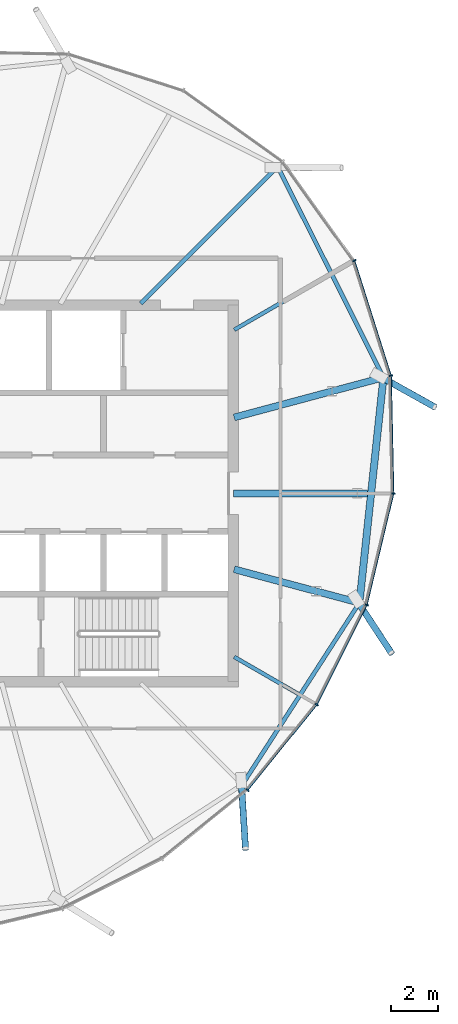
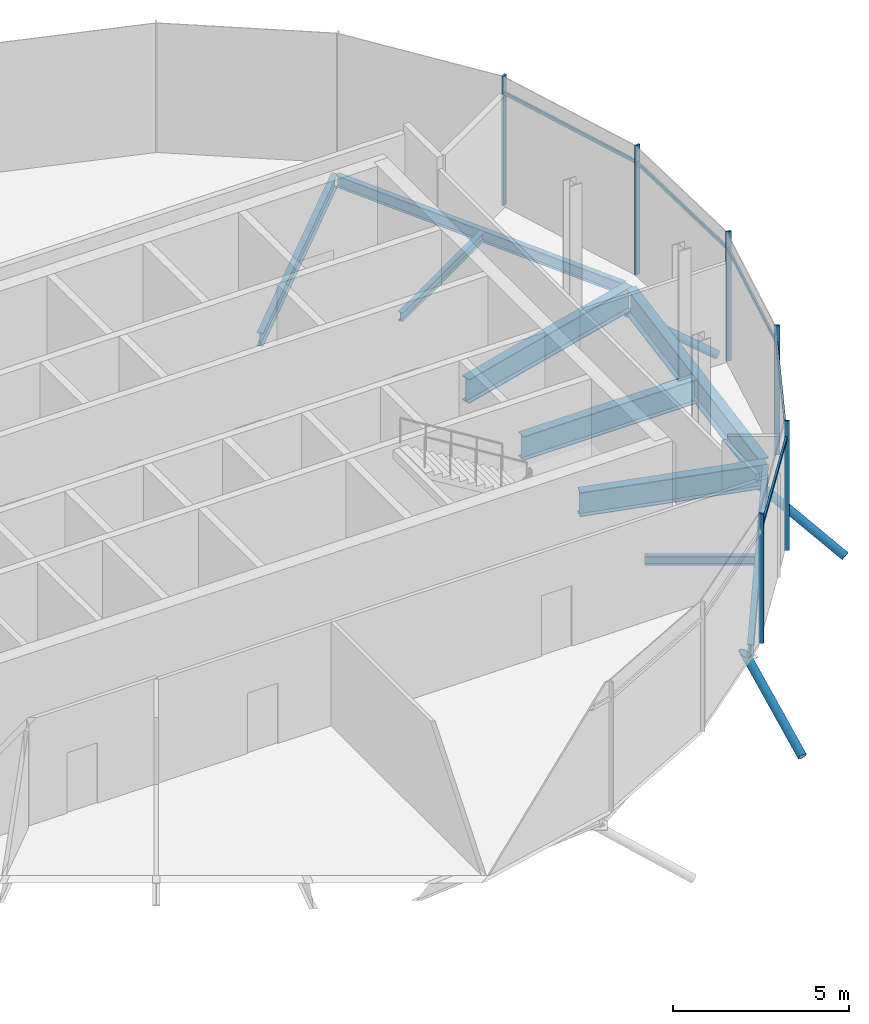
# One storey, part 12 of 31: 14 members, 9 beams, 1 element without a shape of its own.
"""IFC4 building model written with IfcOpenShell, lengths in metres."""

from ifc_helpers import new_model, si_unit, direction, frame, origin, origin_2d, place, context, subcontext, project, spatial, rectangle, hollow_circle, i_section, extrude, clip, halfspace, material, material_profile, profile_set, type_object, element, aggregate, save


model = new_model("IFC4")

# Units and contexts
model_context = context("Model", 3, precision=1e-05, world=origin(), true_north=direction((0.0, 1.0)))
body_context = subcontext(model_context, "Body", "Model", "MODEL_VIEW")
ifc_project = project(units=[si_unit("LENGTHUNIT", "METRE"), si_unit("AREAUNIT", "SQUARE_METRE"), si_unit("VOLUMEUNIT", "CUBIC_METRE"), si_unit("PLANEANGLEUNIT", "RADIAN"), si_unit("MASSUNIT", "GRAM", prefix="KILO")], contexts=[model_context])

# Site, building, storey
site_placement = place(None, origin())
site = spatial("IfcSite", under=ifc_project, at=site_placement, CompositionType="ELEMENT")
building_placement = place(site_placement, origin())
building = spatial("IfcBuilding", under=site, at=building_placement, Name="Rimbun Link Towers", CompositionType="ELEMENT")
storey_placement = place(building_placement, frame((0.0, 0.0, 263.10009765625)))
storey = spatial("IfcBuildingStorey", under=building, at=storey_placement, Name="L64", CompositionType="ELEMENT", Elevation=263.10009765625)

# Curtain wall, members
ifc_material_1 = material(Name="Aluminium 6063-T6 and low-iron glass", Category="aluminium")
curtain_wall_type = type_object("IfcCurtainWallType", Name="CW5 full height lobby wall", PredefinedType="NOTDEFINED", material=ifc_material_1)
curtain_wall_placement = place(storey_placement, origin())
curtain_wall = element("IfcCurtainWall", 1, at=curtain_wall_placement, inside=storey, type_object=curtain_wall_type, Name="CW5 L64 T2", PredefinedType="NOTDEFINED")
ifc_material_2 = material(Name="Aluminium 6063-T6", Category="aluminium")
ifc_material_profile_1 = material_profile(ifc_material_2, rectangle(XDim=0.14990234375, YDim=0.06005859375, at=origin_2d()), Name="MULLION 60X150")
ifc_profile_set_1 = profile_set([ifc_material_profile_1], Name="Aluminium 6063-T6")
member_type_1 = type_object("IfcMemberType", Name="CW5 mullion 60X150", PredefinedType="MULLION", material=ifc_profile_set_1)
member_1_placement = place(storey_placement, frame((44.3642578125, -12.6142578125, 0.0), z_axis=(0.0, 0.0, 1.0), x_axis=(0.707106781187, -0.707106781187, 0.0)))
member_1 = element("IfcMember", 2, at=member_1_placement, type_object=member_type_1, Name="CW5 mullion", PredefinedType="MULLION", context=body_context, shape_type="SweptSolid", body=[
    extrude(rectangle(XDim=0.14990234375, YDim=0.06005859375, at=origin_2d()), origin(), (0.0, 0.0, 1.0), 4.5),
])
member_2_placement = place(storey_placement, frame((47.302978515625, -8.983642578125, 0.0), z_axis=(0.0, 0.0, 1.0), x_axis=(0.840316623202, -0.542095907354, 0.0)))
member_2 = element("IfcMember", 3, at=member_2_placement, type_object=member_type_1, Name="CW5 mullion", PredefinedType="MULLION", context=body_context, shape_type="SweptSolid", body=[
    extrude(rectangle(XDim=0.14990234375, YDim=0.06005859375, at=origin_2d()), origin(), (0.0, 0.0, 1.0), 4.5),
])
member_3_placement = place(storey_placement, frame((49.431640625, -4.74462890625, 0.0), z_axis=(0.0, 0.0, 1.0), x_axis=(0.93934467717, -0.34297460179, 0.0)))
member_3 = element("IfcMember", 4, at=member_3_placement, type_object=member_type_1, Name="CW5 mullion", PredefinedType="MULLION", context=body_context, shape_type="SweptSolid", body=[
    extrude(rectangle(XDim=0.14990234375, YDim=0.06005859375, at=origin_2d()), origin(), (0.0, 0.0, 1.0), 4.5),
])
member_4_placement = place(storey_placement, frame((50.564453125, -0.008056640625, 0.0), z_axis=(0.0, 0.0, 1.0), x_axis=(0.994297489932, -0.106641931315, 0.0)))
member_4 = element("IfcMember", 5, at=member_4_placement, type_object=member_type_1, Name="CW5 mullion", PredefinedType="MULLION", context=body_context, shape_type="SweptSolid", body=[
    extrude(rectangle(XDim=0.14990234375, YDim=0.06005859375, at=origin_2d()), origin(), (0.0, 0.0, 1.0), 4.5),
])
member_5_placement = place(storey_placement, frame((50.458740234375, 5.00537109375, 0.0), z_axis=(0.0, 0.0, 1.0), x_axis=(0.986501737121, 0.16375079437, 0.0)))
member_5 = element("IfcMember", 6, at=member_5_placement, type_object=member_type_1, Name="CW5 mullion", PredefinedType="MULLION", context=body_context, shape_type="SweptSolid", body=[
    extrude(rectangle(XDim=0.14990234375, YDim=0.06005859375, at=origin_2d()), origin(), (0.0, 0.0, 1.0), 4.5),
])
member_6_placement = place(storey_placement, frame((48.902587890625, 9.89794921875, 0.0), z_axis=(0.0, 0.0, 1.0), x_axis=(0.893745040408, 0.448575303316, 0.0)))
member_6 = element("IfcMember", 7, at=member_6_placement, type_object=member_type_1, Name="CW5 mullion", PredefinedType="MULLION", context=body_context, shape_type="SweptSolid", body=[
    extrude(rectangle(XDim=0.14990234375, YDim=0.06005859375, at=origin_2d()), origin(), (0.0, 0.0, 1.0), 4.5),
])
ifc_material_3 = material(Name="Aluminium 6063-T6", Category="aluminium")
ifc_material_profile_2 = material_profile(ifc_material_3, rectangle(XDim=0.06005859375, YDim=0.1201171875, at=origin_2d()), Name="TRANSOM 60X120")
ifc_profile_set_2 = profile_set([ifc_material_profile_2], Name="Aluminium 6063-T6")
member_type_2 = type_object("IfcMemberType", Name="CW5 transom 60X120", PredefinedType="USERDEFINED", material=ifc_profile_set_2)
member_7_placement = place(storey_placement, frame((47.269287109375, -9.00537109375, 3.89990234375), z_axis=(-0.629149315834, -0.777284464263, 0.0), x_axis=(0.777284464263, -0.629149315834, 0.0)))
member_7 = element("IfcMember", 8, at=member_7_placement, type_object=member_type_2, Name="CW5 transom", ObjectType="TRANSOM", PredefinedType="USERDEFINED", context=body_context, shape_type="SweptSolid", body=[
    extrude(rectangle(XDim=0.06005859375, YDim=0.1201171875, at=origin_2d()), origin(), (0.0, 0.0, 1.0), 4.594970703125),
])
member_8_placement = place(storey_placement, frame((49.4033203125, -4.7734375, 3.89990234375), z_axis=(-0.448782258753, -0.893641138393, 0.0), x_axis=(0.893641138393, -0.448782258753, 0.0)))
member_8 = element("IfcMember", 9, at=member_8_placement, type_object=member_type_2, Name="CW5 transom", ObjectType="TRANSOM", PredefinedType="USERDEFINED", context=body_context, shape_type="SweptSolid", body=[
    extrude(rectangle(XDim=0.06005859375, YDim=0.1201171875, at=origin_2d()), origin(), (0.0, 0.0, 1.0), 4.6669921875),
])
member_9_placement = place(storey_placement, frame((50.543212890625, -0.043701171875, 3.89990234375), z_axis=(-0.232632930334, -0.972564609537, 0.0), x_axis=(0.972564609537, -0.232632930334, 0.0)))
member_9 = element("IfcMember", 10, at=member_9_placement, type_object=member_type_2, Name="CW5 transom", ObjectType="TRANSOM", PredefinedType="USERDEFINED", context=body_context, shape_type="SweptSolid", body=[
    extrude(rectangle(XDim=0.06005859375, YDim=0.1201171875, at=origin_2d()), origin(), (0.0, 0.0, 1.0), 4.791748046875),
])
member_10_placement = place(storey_placement, frame((50.447265625, 4.96435546875, 3.89990234375), z_axis=(0.021078162721, -0.999777830849, 0.0), x_axis=(0.999777830849, 0.021078162721, 0.0)))
member_10 = element("IfcMember", 11, at=member_10_placement, type_object=member_type_2, Name="CW5 transom", ObjectType="TRANSOM", PredefinedType="USERDEFINED", context=body_context, shape_type="SweptSolid", body=[
    extrude(rectangle(XDim=0.06005859375, YDim=0.1201171875, at=origin_2d()), origin(), (0.0, 0.0, 1.0), 4.93408203125),
])
member_11_placement = place(storey_placement, frame((48.903564453125, 9.8544921875, 3.89990234375), z_axis=(0.30307598417, -0.952966393856, 0.0), x_axis=(0.952966393856, 0.30307598417, 0.0)))
member_11 = element("IfcMember", 12, at=member_11_placement, type_object=member_type_2, Name="CW5 transom", ObjectType="TRANSOM", PredefinedType="USERDEFINED", context=body_context, shape_type="SweptSolid", body=[
    extrude(rectangle(XDim=0.06005859375, YDim=0.1201171875, at=origin_2d()), origin(), (0.0, 0.0, 1.0), 5.051513671875),
])
aggregate(curtain_wall, [member_1, member_2, member_3, member_4, member_5, member_6, member_7, member_8, member_9, member_10, member_11])

# Members
ifc_material_4 = material(Name="Steel S355J2H", Category="steel")
ifc_material_profile_3 = material_profile(ifc_material_4, hollow_circle(Radius=0.136474609375, WallThickness=0.012451171875, at=origin_2d()), Name="CHS 273x12.5")
ifc_profile_set_3 = profile_set([ifc_material_profile_3], Name="Steel S355J2H")
member_type_3 = type_object("IfcMemberType", Name="Floor edge link CHS 273x12.5", PredefinedType="BRACE", material=ifc_profile_set_3)
member_12_placement = place(storey_placement, frame((44.09814453125, -12.34814453125, -0.650390625), z_axis=(0.053165375979, -0.843507727424, -0.534479332222), x_axis=(0.99801957669, 0.062904090033, 0.0)))
element("IfcMember", 13, at=member_12_placement, inside=storey, type_object=member_type_3, Name="Floor edge link T2 L64 18", PredefinedType="BRACE", context=body_context, shape_type="Clipping", body=[
    clip(extrude(hollow_circle(Radius=0.136474609375, WallThickness=0.012451171875, at=origin_2d()), frame((0.0, 0.0, -0.450439453125)), (0.0, 0.0, 1.0), 3.733642578125), halfspace(frame((0.0, 0.0, -0.2119140625), z_axis=(0.0, 0.845181544656, -0.534479332222)), False)),
])
member_13_placement = place(storey_placement, frame((49.06640625, -4.639892578125, -1.138427734375), z_axis=(0.472590100476, -0.72126600133, -0.506393080776), x_axis=(0.836441718426, 0.548055883716, 0.0)))
element("IfcMember", 14, at=member_13_placement, inside=storey, type_object=member_type_3, Name="Floor edge link T2 L64 20", PredefinedType="BRACE", context=body_context, shape_type="Clipping", body=[
    clip(extrude(hollow_circle(Radius=0.136474609375, WallThickness=0.012451171875, at=origin_2d()), frame((0.0, 0.0, -0.484619140625)), (0.0, 0.0, 1.0), 3.48193359375), halfspace(frame((0.0, 0.0, -0.228271484375), z_axis=(0.0, 0.862302758747, -0.506393080776)), False)),
])
member_14_placement = place(storey_placement, frame((50.087890625, 4.91357421875, -1.13818359375), z_axis=(0.752436654701, -0.419673990339, -0.507654235179), x_axis=(0.487108911617, 0.873341232408, 0.0)))
element("IfcMember", 15, at=member_14_placement, inside=storey, type_object=member_type_3, Name="Floor edge link T2 L64 22", PredefinedType="BRACE", context=body_context, shape_type="Clipping", body=[
    clip(extrude(hollow_circle(Radius=0.136474609375, WallThickness=0.012451171875, at=origin_2d()), frame((0.0, 0.0, -0.48291015625)), (0.0, 0.0, 1.0), 3.4521484375), halfspace(frame((0.0, 0.0, -0.227294921875), z_axis=(0.0, 0.861560895993, -0.507654235179)), False)),
])

# Beams
ifc_material_5 = material(Name="Steel S355J2", Category="steel")
ifc_material_profile_4 = material_profile(ifc_material_5, i_section(OverallWidth=0.1650390625, OverallDepth=0.303466796875, WebThickness=0.006103515625, FlangeThickness=0.01025390625, at=origin_2d()), Name="UB 305x165x40")
ifc_profile_set_4 = profile_set([ifc_material_profile_4], Name="Steel S355J2")
beam_type_1 = type_object("IfcBeamType", Name="UB 305x165x40", PredefinedType="BEAM", material=ifc_profile_set_4)
beam_1_placement = place(storey_placement, frame((43.7919921875, -6.952392578125, -0.331787109375), z_axis=(0.866035522163, -0.499982474044, 0.0), x_axis=(0.499982474044, 0.866035522163, 0.0)))
element("IfcBeam", 16, at=beam_1_placement, inside=storey, type_object=beam_type_1, Name="Radial beam T2 L64 19", PredefinedType="BEAM", context=body_context, shape_type="SweptSolid", body=[
    extrude(i_section(OverallWidth=0.1650390625, OverallDepth=0.303466796875, WebThickness=0.006103515625, FlangeThickness=0.01025390625, at=origin_2d()), origin(), (0.0, 0.0, 1.0), 3.142578125),
])
beam_2_placement = place(storey_placement, frame((43.7919921875, 6.952392578125, -0.331787109375), z_axis=(0.866029224906, 0.499993381564, 0.0), x_axis=(-0.499993381564, 0.866029224906, 0.0)))
element("IfcBeam", 17, at=beam_2_placement, inside=storey, type_object=beam_type_1, Name="Radial beam T2 L64 23", PredefinedType="BEAM", context=body_context, shape_type="SweptSolid", body=[
    extrude(i_section(OverallWidth=0.1650390625, OverallDepth=0.303466796875, WebThickness=0.006103515625, FlangeThickness=0.01025390625, at=origin_2d()), origin(), (0.0, 0.0, 1.0), 4.68017578125),
])
ifc_material_6 = material(Name="Steel S355J2", Category="steel")
ifc_material_profile_5 = material_profile(ifc_material_6, i_section(OverallWidth=0.177978515625, OverallDepth=0.406494140625, WebThickness=0.0078125, FlangeThickness=0.0126953125, at=origin_2d()), Name="UB 406x178x60")
ifc_profile_set_5 = profile_set([ifc_material_profile_5], Name="Steel S355J2")
beam_type_2 = type_object("IfcBeamType", Name="UB 406x178x60", PredefinedType="BEAM", material=ifc_profile_set_5)
beam_3_placement = place(storey_placement, frame((44.181640625, -12.30908203125, -0.38330078125), z_axis=(0.541625549904, 0.840619868723, 0.0), x_axis=(-0.840619868723, 0.541625549904, 0.0)))
element("IfcBeam", 18, at=beam_3_placement, inside=storey, type_object=beam_type_2, Name="Edge beam T2 L64 18-20", PredefinedType="BEAM", context=body_context, shape_type="SweptSolid", body=[
    extrude(i_section(OverallWidth=0.177978515625, OverallDepth=0.406494140625, WebThickness=0.0078125, FlangeThickness=0.0126953125, at=origin_2d()), origin(), (0.0, 0.0, 1.0), 8.953369140625),
])
beam_4_placement = place(storey_placement, frame((50.068603515625, 5.060791015625, -0.38330078125), z_axis=(-0.448411889064, 0.893827040174, 0.0), x_axis=(-0.893827040174, -0.448411889064, 0.0)))
element("IfcBeam", 19, at=beam_4_placement, inside=storey, type_object=beam_type_2, Name="Edge beam T2 L64 22-00", PredefinedType="BEAM", context=body_context, shape_type="SweptSolid", body=[
    extrude(i_section(OverallWidth=0.177978515625, OverallDepth=0.406494140625, WebThickness=0.0078125, FlangeThickness=0.0126953125, at=origin_2d()), origin(), (0.0, 0.0, 1.0), 9.7763671875),
])
ifc_material_7 = material(Name="Steel S355J2", Category="steel")
ifc_material_profile_6 = material_profile(ifc_material_7, i_section(OverallWidth=0.18994140625, OverallDepth=0.453369140625, WebThickness=0.008544921875, FlangeThickness=0.0126953125, at=origin_2d()), Name="UB 457x191x67")
ifc_profile_set_6 = profile_set([ifc_material_profile_6], Name="Steel S355J2")
beam_type_3 = type_object("IfcBeamType", Name="UB 457x191x67", PredefinedType="BEAM", material=ifc_profile_set_6)
beam_5_placement = place(storey_placement, frame((39.81787109375, 8.06787109375, -0.40673828125), z_axis=(0.707106781187, 0.707106781187, 0.0), x_axis=(-0.707106781187, 0.707106781187, 0.0)))
element("IfcBeam", 20, at=beam_5_placement, inside=storey, type_object=beam_type_3, Name="Radial beam T2 L64 00", PredefinedType="BEAM", context=body_context, shape_type="SweptSolid", body=[
    extrude(i_section(OverallWidth=0.18994140625, OverallDepth=0.453369140625, WebThickness=0.008544921875, FlangeThickness=0.0126953125, at=origin_2d()), origin(), (0.0, 0.0, 1.0), 8.23291015625),
])
ifc_material_8 = material(Name="Steel S355J2", Category="steel")
ifc_material_profile_7 = material_profile(ifc_material_8, i_section(OverallWidth=0.29248046875, OverallDepth=0.8408203125, WebThickness=0.0126953125, FlangeThickness=0.021728515625, at=origin_2d()), Name="UB 838x292x194")
ifc_profile_set_7 = profile_set([ifc_material_profile_7], Name="Steel S355J2")
beam_type_4 = type_object("IfcBeamType", Name="UB 838x292x194", PredefinedType="BEAM", material=ifc_profile_set_7)
beam_6_placement = place(storey_placement, frame((43.788818359375, -3.225830078125, -0.600341796875), z_axis=(0.96592927584, -0.258806170859, 0.0), x_axis=(0.258806170859, 0.96592927584, 0.0)))
element("IfcBeam", 21, at=beam_6_placement, inside=storey, type_object=beam_type_4, Name="Radial beam T2 L64 20", PredefinedType="BEAM", context=body_context, shape_type="SweptSolid", body=[
    extrude(i_section(OverallWidth=0.29248046875, OverallDepth=0.8408203125, WebThickness=0.0126953125, FlangeThickness=0.021728515625, at=origin_2d()), origin(), (0.0, 0.0, 1.0), 5.513671875),
])
beam_7_placement = place(storey_placement, frame((43.7509765625, 0.0, -0.600341796875), z_axis=(1.0, 0.0, 0.0), x_axis=(0.0, 1.0, 0.0)))
element("IfcBeam", 22, at=beam_7_placement, inside=storey, type_object=beam_type_4, Name="Radial beam T2 L64 21", PredefinedType="BEAM", context=body_context, shape_type="SweptSolid", body=[
    extrude(i_section(OverallWidth=0.29248046875, OverallDepth=0.8408203125, WebThickness=0.0126953125, FlangeThickness=0.021728515625, at=origin_2d()), origin(), (0.0, 0.0, 1.0), 5.705322265625),
])
beam_8_placement = place(storey_placement, frame((43.788818359375, 3.225830078125, -0.600341796875), z_axis=(0.965927155502, 0.258814084361, 0.0), x_axis=(-0.258814084361, 0.965927155502, 0.0)))
element("IfcBeam", 23, at=beam_8_placement, inside=storey, type_object=beam_type_4, Name="Radial beam T2 L64 22", PredefinedType="BEAM", context=body_context, shape_type="SweptSolid", body=[
    extrude(i_section(OverallWidth=0.29248046875, OverallDepth=0.8408203125, WebThickness=0.0126953125, FlangeThickness=0.021728515625, at=origin_2d()), origin(), (0.0, 0.0, 1.0), 6.571044921875),
])
ifc_material_9 = material(Name="Steel S355J2", Category="steel")
ifc_material_profile_8 = material_profile(ifc_material_9, i_section(OverallWidth=0.305419921875, OverallDepth=0.91845703125, WebThickness=0.017333984375, FlangeThickness=0.02783203125, at=origin_2d()), Name="UB 914x305x253")
ifc_profile_set_8 = profile_set([ifc_material_profile_8], Name="Steel S355J2")
beam_type_5 = type_object("IfcBeamType", Name="UB 914x305x253", PredefinedType="BEAM", material=ifc_profile_set_8)
beam_9_placement = place(storey_placement, frame((49.130615234375, -4.504638671875, -0.639404296875), z_axis=(0.106011838323, 0.99436486771, 0.0), x_axis=(-0.99436486771, 0.106011838323, 0.0)))
element("IfcBeam", 24, at=beam_9_placement, inside=storey, type_object=beam_type_5, Name="Edge beam T2 L64 20-22", PredefinedType="BEAM", context=body_context, shape_type="SweptSolid", body=[
    extrude(i_section(OverallWidth=0.305419921875, OverallDepth=0.91845703125, WebThickness=0.017333984375, FlangeThickness=0.02783203125, at=origin_2d()), origin(), (0.0, 0.0, 1.0), 9.326904296875),
])

save(model, "model.ifc")
